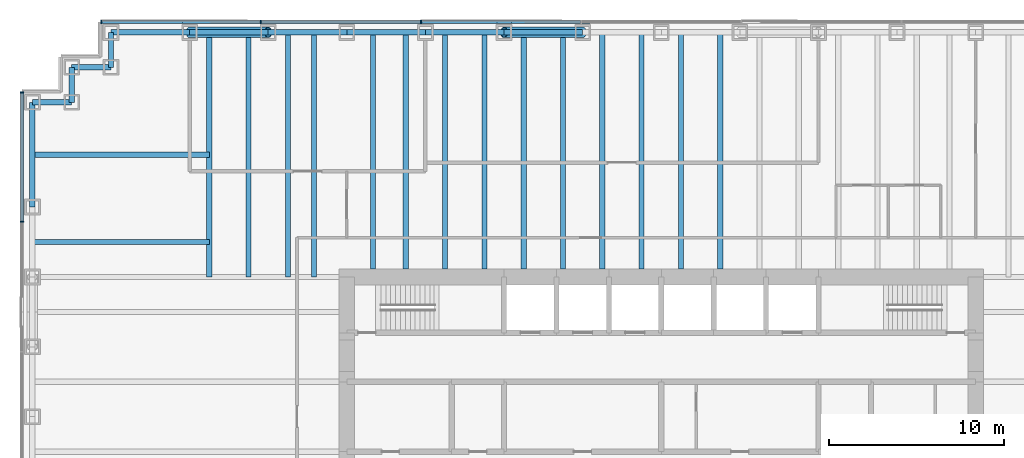
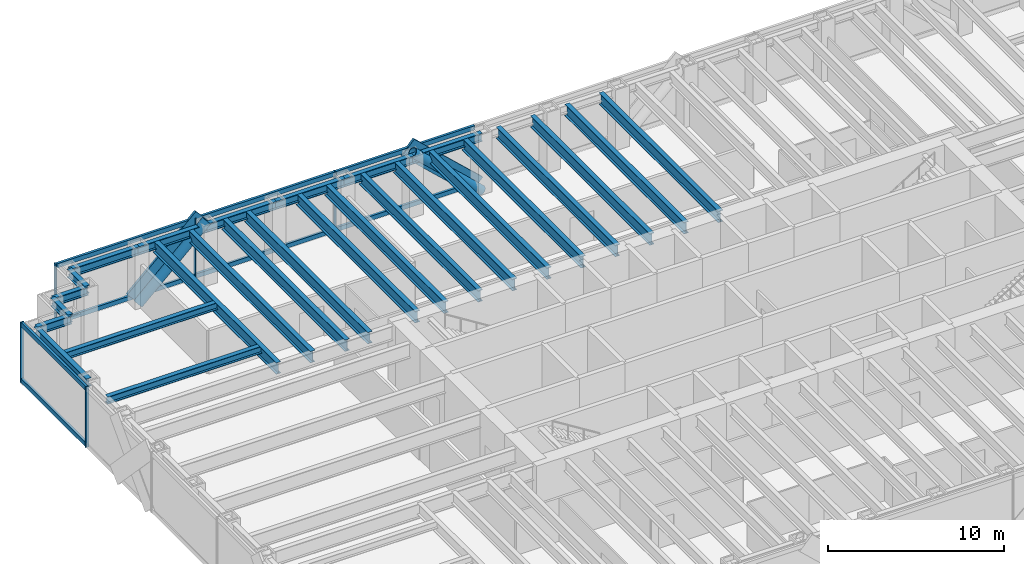
# One storey, part 6 of 17: 27 beams, 17 members, 2 elements without a shape of their own.
"""IFC4 building model written with IfcOpenShell, lengths in metres."""

import ifcopenshell
import ifcopenshell.guid

model = None  # the IFC model being written
_history = None  # IfcOwnerHistory: only IFC2X3 demands one
_inside = {}  # id of a spatial element -> (the spatial element, [elements in it])
_under = {}  # id of a project, library or spatial element -> (it, [spatial elements below it])
_declared = {}  # id of a project -> (the project, [libraries it declares])
_typed = {}  # id of a type object -> (the type object, [elements of that type])
_made_of = {}  # id of a material, layer set ... -> (it, [elements and type objects made of it])


def new_model(schema):
    """Start an empty IFC model of exactly this schema.

    Asked for "IFC4X3", IfcOpenShell would pick the latest addendum, in which some entities
    have other attributes; the version numbers below select the first issue.
    IFC2X3 requires an IfcOwnerHistory on every rooted entity: one is made here for all.
    """
    global model, _history
    if schema == "IFC4X3":
        model = ifcopenshell.file(schema_version=(4, 3, 0, 0))
    else:
        model = ifcopenshell.file(schema=schema)
    _inside.clear()
    _under.clear()
    _declared.clear()
    _typed.clear()
    _made_of.clear()
    _history = None
    if model.schema == "IFC2X3":
        org = make("IfcOrganization", Name="unknown")
        user = make(
            "IfcPersonAndOrganization",
            ThePerson=make("IfcPerson", FamilyName="unknown"),
            TheOrganization=org,
        )
        app = make(
            "IfcApplication",
            ApplicationDeveloper=org,
            Version="unknown",
            ApplicationFullName="unknown",
            ApplicationIdentifier="unknown",
        )
        _history = make(
            "IfcOwnerHistory",
            OwningUser=user,
            OwningApplication=app,
            ChangeAction="ADDED",
            CreationDate=0,
        )
    return model


def make(cls, **values):
    """One entity of the class cls with the attributes given. An attribute that is None is left unset."""
    return model.create_entity(
        cls, **{name: value for name, value in values.items() if value is not None}
    )


def rooted(cls, **values):
    """An entity with a GlobalId (a new one), such as an element, a storey or a relation."""
    return make(cls, GlobalId=ifcopenshell.guid.new(), OwnerHistory=_history, **values)


def si_unit(unit_type, name, prefix=None):
    """IfcSIUnit, for example si_unit("LENGTHUNIT", "METRE", prefix="MILLI")."""
    return make("IfcSIUnit", UnitType=unit_type, Prefix=prefix, Name=name)


def assignment(units):
    """IfcUnitAssignment: the units of a project."""
    return None if units is None else make("IfcUnitAssignment", Units=units)


def point(xyz):
    """IfcCartesianPoint."""
    return None if xyz is None else make("IfcCartesianPoint", Coordinates=xyz)


def direction(xyz):
    """IfcDirection."""
    return None if xyz is None else make("IfcDirection", DirectionRatios=xyz)


def frame(location, z_axis=None, x_axis=None):
    """IfcAxis2Placement3D, a coordinate frame: its origin and axes. An axis left out is left unset."""
    return make(
        "IfcAxis2Placement3D",
        Location=point(location),
        Axis=direction(z_axis),
        RefDirection=direction(x_axis),
    )


def frame_2d(location, x_axis=None):
    """IfcAxis2Placement2D, a coordinate frame in the plane: its origin and x axis."""
    return make(
        "IfcAxis2Placement2D", Location=point(location), RefDirection=direction(x_axis)
    )


def origin():
    """The frame at (0, 0, 0) with its axes left unset."""
    return frame((0.0, 0.0, 0.0))


def origin_2d():
    """The frame at (0, 0) in the plane with its x axis left unset."""
    return frame_2d((0.0, 0.0))


def place(relative_to, where):
    """IfcLocalPlacement: puts the frame where relative to a parent placement (None: the world)."""
    return make(
        "IfcLocalPlacement", PlacementRelTo=relative_to, RelativePlacement=where
    )


def context(
    kind, dimensions, precision=None, world=None, true_north=None, identifier=None
):
    """IfcGeometricRepresentationContext, for example the 3D "Model" context."""
    return make(
        "IfcGeometricRepresentationContext",
        ContextIdentifier=identifier,
        ContextType=kind,
        CoordinateSpaceDimension=dimensions,
        Precision=precision,
        WorldCoordinateSystem=world,
        TrueNorth=true_north,
    )


def subcontext(parent, identifier, kind, view, scale=None):
    """IfcGeometricRepresentationSubContext, for example "Body" below "Model"."""
    return make(
        "IfcGeometricRepresentationSubContext",
        ContextIdentifier=identifier,
        ContextType=kind,
        ParentContext=parent,
        TargetScale=scale,
        TargetView=view,
    )


def project(units=None, contexts=None):
    """IfcProject with its units and contexts."""
    return rooted(
        "IfcProject",
        Name="project",
        RepresentationContexts=contexts,
        UnitsInContext=assignment(units),
    )


def spatial(cls, under=None, at=None, **own):
    """A site, building, storey or space (cls), placed at a placement, below another one or the project."""
    s = rooted(cls, ObjectPlacement=at, **own)
    if under is not None:
        _under.setdefault(under.id(), (under, []))[1].append(s)
    return s


def profile(cls, at=None, kind="AREA", **sizes):
    """A parametric profile (cls). Its sizes go by their IFC names, for example OverallWidth=200.0."""
    return make(cls, ProfileType=kind, Position=at, **sizes)


def rectangle(**sizes):
    """IfcRectangleProfileDef."""
    return profile("IfcRectangleProfileDef", **sizes)


def hollow_circle(**sizes):
    """IfcCircleHollowProfileDef."""
    return profile("IfcCircleHollowProfileDef", **sizes)


def i_section(**sizes):
    """IfcIShapeProfileDef."""
    return profile("IfcIShapeProfileDef", **sizes)


def extrude(swept, where, along, depth):
    """IfcExtrudedAreaSolid: the profile swept, set in the frame where, extruded along a direction by depth."""
    return make(
        "IfcExtrudedAreaSolid",
        SweptArea=swept,
        Position=where,
        ExtrudedDirection=direction(along),
        Depth=depth,
    )


def shape(context_of_items, identifier, shape_type, items):
    """IfcShapeRepresentation: the items that make up one representation, for example the "Body"."""
    return make(
        "IfcShapeRepresentation",
        ContextOfItems=context_of_items,
        RepresentationIdentifier=identifier,
        RepresentationType=shape_type,
        Items=items,
    )


def material(Name=None, Category=None):
    """IfcMaterial."""
    return make("IfcMaterial", Name=Name, Category=Category)


def material_profile(
    of_material, cross_section, Name=None, Category=None, Priority=None
):
    """IfcMaterialProfile: a cross section and its material."""
    return make(
        "IfcMaterialProfile",
        Name=Name,
        Material=of_material,
        Profile=cross_section,
        Priority=Priority,
        Category=Category,
    )


def profile_set(profiles, Name=None, composite=None):
    """IfcMaterialProfileSet."""
    return make(
        "IfcMaterialProfileSet",
        Name=Name,
        MaterialProfiles=profiles,
        CompositeProfile=composite,
    )


def made_of(thing, what):
    """Note that an element or type object is made of a material, layer set ...; save() writes the relation."""
    if what is not None:
        _made_of.setdefault(what.id(), (what, []))[1].append(thing)
    return thing


def type_object(cls, material=None, **own):
    """A type object (cls), such as IfcWallType, which elements share."""
    return made_of(rooted(cls, **own), material)


def element(
    cls,
    number,
    at=None,
    inside=None,
    cuts=None,
    type_object=None,
    material=None,
    context=None,
    identifier="Body",
    shape_type=None,
    held_by="IfcProductDefinitionShape",
    body=None,
    shapes=None,
    **own,
):
    """One element of the class cls, such as IfcWall. Its Tag is "e" and its number.

    at: its placement. inside: the storey or other place that contains it. cuts: it is an
    opening in that element (IfcRelVoidsElement). A single representation is given by context,
    identifier, shape_type and body (its items); several are given by shapes. held_by: the class
    of the entity that holds the representations. save() writes the other relations.
    """
    e = rooted(cls, Tag="e%d" % number, ObjectPlacement=at, **own)
    if body is not None:
        shapes = [shape(context, identifier, shape_type, body)]
    if shapes is not None:
        e.Representation = make(held_by, Representations=shapes)
    if inside is not None:
        _inside.setdefault(inside.id(), (inside, []))[1].append(e)
    if cuts is not None:
        rooted(
            "IfcRelVoidsElement", RelatingBuildingElement=cuts, RelatedOpeningElement=e
        )
    if type_object is not None:
        _typed.setdefault(type_object.id(), (type_object, []))[1].append(e)
    return made_of(e, material)


def aggregate(whole, parts):
    """IfcRelAggregates: a whole, such as a stair, and the parts it consists of."""
    return rooted("IfcRelAggregates", RelatingObject=whole, RelatedObjects=parts)


def save(model, path):
    """Write the relations noted so far, then the file.

    IfcRelAggregates (storeys below a building ...), IfcRelContainedInSpatialStructure (elements
    in a storey), IfcRelDefinesByType, IfcRelAssociatesMaterial and IfcRelDeclares: one each for
    every whole, place, type object, material and project.
    """
    for whole, parts in _under.values():
        aggregate(whole, parts)
    for where, things in _inside.values():
        rooted(
            "IfcRelContainedInSpatialStructure",
            RelatedElements=things,
            RelatingStructure=where,
        )
    for kind, things in _typed.values():
        rooted("IfcRelDefinesByType", RelatedObjects=things, RelatingType=kind)
    for what, things in _made_of.values():
        rooted("IfcRelAssociatesMaterial", RelatedObjects=things, RelatingMaterial=what)
    for by, libraries in _declared.values():
        rooted("IfcRelDeclares", RelatingContext=by, RelatedDefinitions=libraries)
    model.write(path)


model = new_model("IFC4")

# Units and contexts
model_context = context("Model", 3, precision=1e-05, world=origin(), true_north=direction((0.0, 1.0)))
body_context = subcontext(model_context, "Body", "Model", "MODEL_VIEW")
ifc_project = project(units=[si_unit("LENGTHUNIT", "METRE"), si_unit("AREAUNIT", "SQUARE_METRE"), si_unit("VOLUMEUNIT", "CUBIC_METRE"), si_unit("PLANEANGLEUNIT", "RADIAN"), si_unit("MASSUNIT", "GRAM", prefix="KILO")], contexts=[model_context])

# Site, building, storey
site_placement = place(None, origin())
site = spatial("IfcSite", under=ifc_project, at=site_placement, CompositionType="ELEMENT")
building_placement = place(site_placement, origin())
building = spatial("IfcBuilding", under=site, at=building_placement, Name="Rheinbord Bourse Tower", CompositionType="ELEMENT")
storey_placement = place(building_placement, frame((0.0, 0.0, 129.89990234375)))
storey = spatial("IfcBuildingStorey", under=building, at=storey_placement, Name="L28", CompositionType="ELEMENT", Elevation=129.89990234375)

# Curtain wall, members
ifc_material_1 = material(Name="Dark glass and black aluminium", Category="aluminium")
curtain_wall_type = type_object("IfcCurtainWallType", Name="CW2 DARK GLASS CURTAIN WALL", PredefinedType="USERDEFINED", material=ifc_material_1)
curtain_wall_1_placement = place(storey_placement, origin())
curtain_wall_1 = element("IfcCurtainWall", 1, at=curtain_wall_1_placement, inside=storey, type_object=curtain_wall_type, Name="Curtain wall CW2 N L28", ObjectType="UNITISED CURTAIN WALL", PredefinedType="USERDEFINED")
ifc_material_2 = material(Name="Black anodised aluminium", Category="aluminium")
ifc_material_profile_1 = material_profile(ifc_material_2, rectangle(XDim=0.159912109375, YDim=1.2099609375, at=origin_2d()), Name="CW2 DIAGONAL MULLION 1210x160")
ifc_profile_set_1 = profile_set([ifc_material_profile_1], Name="Black anodised aluminium")
member_type_1 = type_object("IfcMemberType", Name="CW2 BLACK DIAGONAL MULLION", PredefinedType="USERDEFINED", material=ifc_profile_set_1)
member_1_placement = place(storey_placement, frame((9.0, 46.60009765625, 0.0), z_axis=(0.731039441158, 0.0, 0.682335207557), x_axis=(0.0, 1.0, 0.0)))
member_1 = element("IfcMember", 2, at=member_1_placement, type_object=member_type_1, Name="CW2 diagonal mullion a", ObjectType="DIAGONAL MULLION", PredefinedType="USERDEFINED", context=body_context, shape_type="SweptSolid", body=[
    extrude(rectangle(XDim=0.159912109375, YDim=1.2099609375, at=origin_2d()), origin(), (0.0, 0.0, 1.0), 6.155517578125),
])
member_2_placement = place(storey_placement, frame((31.5, 46.60009765625, 0.0), z_axis=(-0.731039441158, 0.0, 0.682335207557), x_axis=(0.0, -1.0, 0.0)))
member_2 = element("IfcMember", 3, at=member_2_placement, type_object=member_type_1, Name="CW2 diagonal mullion d", ObjectType="DIAGONAL MULLION", PredefinedType="USERDEFINED", context=body_context, shape_type="SweptSolid", body=[
    extrude(rectangle(XDim=0.159912109375, YDim=1.2099609375, at=origin_2d()), origin(), (0.0, 0.0, 1.0), 6.155517578125),
])
ifc_material_3 = material(Name="Black anodised aluminium", Category="aluminium")
ifc_material_profile_2 = material_profile(ifc_material_3, rectangle(XDim=0.219970703125, YDim=0.070068359375, at=origin_2d()), Name="CW2 MULLION 70x220")
ifc_profile_set_2 = profile_set([ifc_material_profile_2], Name="Black anodised aluminium")
member_type_2 = type_object("IfcMemberType", Name="CW2 BLACK MULLION", PredefinedType="MULLION", material=ifc_profile_set_2)
member_3_placement = place(storey_placement, frame((22.242919921875, 46.60009765625, 0.0), z_axis=(0.0, 0.0, 1.0), x_axis=(0.0, -1.0, 0.0)))
member_3 = element("IfcMember", 4, at=member_3_placement, type_object=member_type_2, Name="CW2 mullion 6", PredefinedType="MULLION", context=body_context, shape_type="SweptSolid", body=[
    extrude(rectangle(XDim=0.219970703125, YDim=0.070068359375, at=origin_2d()), origin(), (0.0, 0.0, 1.0), 4.2001953125),
])
member_4_placement = place(storey_placement, frame((13.071533203125, 46.60009765625, 0.0), z_axis=(0.0, 0.0, 1.0), x_axis=(0.0, -1.0, 0.0)))
member_4 = element("IfcMember", 5, at=member_4_placement, type_object=member_type_2, Name="CW2 mullion 7", PredefinedType="MULLION", context=body_context, shape_type="SweptSolid", body=[
    extrude(rectangle(XDim=0.219970703125, YDim=0.070068359375, at=origin_2d()), origin(), (0.0, 0.0, 1.0), 4.2001953125),
])
member_5_placement = place(storey_placement, frame((3.93505859375, 46.60009765625, 0.0), z_axis=(0.0, 0.0, 1.0), x_axis=(0.0, -1.0, 0.0)))
member_5 = element("IfcMember", 6, at=member_5_placement, type_object=member_type_2, Name="CW2 mullion 8", PredefinedType="MULLION", context=body_context, shape_type="SweptSolid", body=[
    extrude(rectangle(XDim=0.219970703125, YDim=0.070068359375, at=origin_2d()), origin(), (0.0, 0.0, 1.0), 4.2001953125),
])

curtain_wall_2_placement = place(storey_placement, origin())
curtain_wall_2 = element("IfcCurtainWall", 7, at=curtain_wall_2_placement, inside=storey, type_object=curtain_wall_type, Name="Curtain wall CW2 W L28", ObjectType="UNITISED CURTAIN WALL", PredefinedType="USERDEFINED")
member_6_placement = place(storey_placement, frame((-0.60009765625, 42.56494140625, 0.0), z_axis=(0.0, 0.0, 1.0), x_axis=(1.0, 0.0, 0.0)))
member_6 = element("IfcMember", 8, at=member_6_placement, type_object=member_type_2, Name="CW2 mullion 1", PredefinedType="MULLION", context=body_context, shape_type="SweptSolid", body=[
    extrude(rectangle(XDim=0.219970703125, YDim=0.070068359375, at=origin_2d()), origin(), (0.0, 0.0, 1.0), 4.2001953125),
])
member_7_placement = place(storey_placement, frame((-0.60009765625, 35.159912109375, 0.0), z_axis=(0.0, 0.0, 1.0), x_axis=(1.0, 0.0, 0.0)))
member_7 = element("IfcMember", 9, at=member_7_placement, type_object=member_type_2, Name="CW2 mullion 2", PredefinedType="MULLION", context=body_context, shape_type="SweptSolid", body=[
    extrude(rectangle(XDim=0.219970703125, YDim=0.070068359375, at=origin_2d()), origin(), (0.0, 0.0, 1.0), 4.2001953125),
])

# Member
ifc_material_4 = material(Name="Black anodised aluminium", Category="aluminium")
ifc_material_profile_3 = material_profile(ifc_material_4, rectangle(XDim=0.159912109375, YDim=0.300048828125, at=origin_2d()), Name="CW2 TRANSOM 300x160")
ifc_profile_set_3 = profile_set([ifc_material_profile_3], Name="Black anodised aluminium")
member_type_3 = type_object("IfcMemberType", Name="CW2 BLACK TRANSOM", PredefinedType="USERDEFINED", material=ifc_profile_set_3)
member_8_placement = place(storey_placement, frame((31.37939453125, 46.60009765625, 0.150146484375), z_axis=(-1.0, 0.0, 0.0), x_axis=(0.0, -1.0, 0.0)))
member_8 = element("IfcMember", 10, at=member_8_placement, type_object=member_type_3, Name="CW2 transom 5.1", ObjectType="TRANSOM", PredefinedType="USERDEFINED", context=body_context, shape_type="SweptSolid", body=[
    extrude(rectangle(XDim=0.159912109375, YDim=0.300048828125, at=origin_2d()), origin(), (0.0, 0.0, 1.0), 9.1015625),
])

member_9_placement = place(storey_placement, frame((31.37939453125, 46.60009765625, 4.050048828125), z_axis=(-1.0, 0.0, 0.0), x_axis=(0.0, -1.0, 0.0)))
member_9 = element("IfcMember", 11, at=member_9_placement, type_object=member_type_3, Name="CW2 transom 5.2", ObjectType="TRANSOM", PredefinedType="USERDEFINED", context=body_context, shape_type="SweptSolid", body=[
    extrude(rectangle(XDim=0.159912109375, YDim=0.300048828125, at=origin_2d()), origin(), (0.0, 0.0, 1.0), 9.1015625),
])

member_10_placement = place(storey_placement, frame((22.207763671875, 46.60009765625, 0.150146484375), z_axis=(-1.0, 0.0, 0.0), x_axis=(0.0, -1.0, 0.0)))
member_10 = element("IfcMember", 12, at=member_10_placement, type_object=member_type_3, Name="CW2 transom 6.1", ObjectType="TRANSOM", PredefinedType="USERDEFINED", context=body_context, shape_type="SweptSolid", body=[
    extrude(rectangle(XDim=0.159912109375, YDim=0.300048828125, at=origin_2d()), origin(), (0.0, 0.0, 1.0), 9.101318359375),
])

member_11_placement = place(storey_placement, frame((22.207763671875, 46.60009765625, 4.050048828125), z_axis=(-1.0, 0.0, 0.0), x_axis=(0.0, -1.0, 0.0)))
member_11 = element("IfcMember", 13, at=member_11_placement, type_object=member_type_3, Name="CW2 transom 6.2", ObjectType="TRANSOM", PredefinedType="USERDEFINED", context=body_context, shape_type="SweptSolid", body=[
    extrude(rectangle(XDim=0.159912109375, YDim=0.300048828125, at=origin_2d()), origin(), (0.0, 0.0, 1.0), 9.101318359375),
])

member_12_placement = place(storey_placement, frame((13.036376953125, 46.60009765625, 0.150146484375), z_axis=(-1.0, 0.0, 0.0), x_axis=(0.0, -1.0, 0.0)))
member_12 = element("IfcMember", 14, at=member_12_placement, type_object=member_type_3, Name="CW2 transom 7.1", ObjectType="TRANSOM", PredefinedType="USERDEFINED", context=body_context, shape_type="SweptSolid", body=[
    extrude(rectangle(XDim=0.159912109375, YDim=0.300048828125, at=origin_2d()), origin(), (0.0, 0.0, 1.0), 9.06640625),
])

member_13_placement = place(storey_placement, frame((13.036376953125, 46.60009765625, 4.050048828125), z_axis=(-1.0, 0.0, 0.0), x_axis=(0.0, -1.0, 0.0)))
member_13 = element("IfcMember", 15, at=member_13_placement, type_object=member_type_3, Name="CW2 transom 7.2", ObjectType="TRANSOM", PredefinedType="USERDEFINED", context=body_context, shape_type="SweptSolid", body=[
    extrude(rectangle(XDim=0.159912109375, YDim=0.300048828125, at=origin_2d()), origin(), (0.0, 0.0, 1.0), 9.06640625),
])

aggregate(curtain_wall_1, [member_3, member_4, member_5, member_8, member_9, member_10, member_11, member_12, member_13, member_1, member_2])

member_14_placement = place(storey_placement, frame((-0.60009765625, 42.530029296875, 0.150146484375), z_axis=(0.0, -1.0, 0.0), x_axis=(1.0, 0.0, 0.0)))
member_14 = element("IfcMember", 16, at=member_14_placement, type_object=member_type_3, Name="CW2 transom 1.1", ObjectType="TRANSOM", PredefinedType="USERDEFINED", context=body_context, shape_type="SweptSolid", body=[
    extrude(rectangle(XDim=0.159912109375, YDim=0.300048828125, at=origin_2d()), origin(), (0.0, 0.0, 1.0), 7.3349609375),
])

member_15_placement = place(storey_placement, frame((-0.60009765625, 42.530029296875, 4.050048828125), z_axis=(0.0, -1.0, 0.0), x_axis=(1.0, 0.0, 0.0)))
member_15 = element("IfcMember", 17, at=member_15_placement, type_object=member_type_3, Name="CW2 transom 1.2", ObjectType="TRANSOM", PredefinedType="USERDEFINED", context=body_context, shape_type="SweptSolid", body=[
    extrude(rectangle(XDim=0.159912109375, YDim=0.300048828125, at=origin_2d()), origin(), (0.0, 0.0, 1.0), 7.3349609375),
])

aggregate(curtain_wall_2, [member_6, member_7, member_14, member_15])

# Beams
ifc_material_5 = material(Name="Steel S460", Category="steel")
ifc_material_profile_4 = material_profile(ifc_material_5, i_section(OverallWidth=0.300048828125, OverallDepth=0.800048828125, WebThickness=0.017578125, FlangeThickness=0.032958984375, at=origin_2d()), Name="HEB 800")
ifc_profile_set_4 = profile_set([ifc_material_profile_4], Name="Steel S460")
beam_type_1 = type_object("IfcBeamType", Name="FLOOR BEAM HEB 800", PredefinedType="BEAM", material=ifc_profile_set_4)
for number, where, z_axis, x_axis, name in (
    (18, (10.125, 46.0, 3.64013671875), (0.0, -1.0, 0.0), (1.0, 0.0, 0.0), "Floor beam N-9a L29"),
    (19, (12.375, 46.0, 3.64013671875), (0.0, -1.0, 0.0), (1.0, 0.0, 0.0), "Floor beam N-9b L29"),
    (20, (14.625, 46.0, 3.64013671875), (0.0, -1.0, 0.0), (1.0, 0.0, 0.0), "Floor beam N-13.5a L29"),
    (21, (16.125, 46.0, 3.64013671875), (0.0, -1.0, 0.0), (1.0, 0.0, 0.0), "Floor beam N-13.5b L29"),
):
    element("IfcBeam", number, at=place(storey_placement, frame(where, z_axis=z_axis, x_axis=x_axis)), inside=storey, type_object=beam_type_1, Name=name, PredefinedType="BEAM", context=body_context, shape_type="SweptSolid", body=[
        extrude(i_section(OverallWidth=0.300048828125, OverallDepth=0.800048828125, WebThickness=0.017578125, FlangeThickness=0.032958984375, at=origin_2d()), origin(), (0.0, 0.0, 1.0), 14.0),
    ])
for number, where, z_axis, x_axis, name in (
    (22, (19.5, 46.0, 3.64013671875), (0.0, -1.0, 0.0), (1.0, 0.0, 0.0), "Floor beam N-18a L29"),
    (23, (21.375, 46.0, 3.64013671875), (0.0, -1.0, 0.0), (1.0, 0.0, 0.0), "Floor beam N-18b L29"),
    (24, (23.625, 46.0, 3.64013671875), (0.0, -1.0, 0.0), (1.0, 0.0, 0.0), "Floor beam N-22.5a L29"),
    (25, (25.875, 46.0, 3.64013671875), (0.0, -1.0, 0.0), (1.0, 0.0, 0.0), "Floor beam N-22.5b L29"),
    (26, (28.125, 46.0, 3.64013671875), (0.0, -1.0, 0.0), (1.0, 0.0, 0.0), "Floor beam N-27a L29"),
    (27, (30.375, 46.0, 3.64013671875), (0.0, -1.0, 0.0), (1.0, 0.0, 0.0), "Floor beam N-27b L29"),
    (28, (32.625, 46.0, 3.64013671875), (0.0, -1.0, 0.0), (1.0, 0.0, 0.0), "Floor beam N-31.5a L29"),
    (29, (34.875, 46.0, 3.64013671875), (0.0, -1.0, 0.0), (1.0, 0.0, 0.0), "Floor beam N-31.5b L29"),
    (30, (37.125, 46.0, 3.64013671875), (0.0, -1.0, 0.0), (1.0, 0.0, 0.0), "Floor beam N-36a L29"),
    (31, (39.375, 46.0, 3.64013671875), (0.0, -1.0, 0.0), (1.0, 0.0, 0.0), "Floor beam N-36b L29"),
):
    element("IfcBeam", number, at=place(storey_placement, frame(where, z_axis=z_axis, x_axis=x_axis)), inside=storey, type_object=beam_type_1, Name=name, PredefinedType="BEAM", context=body_context, shape_type="SweptSolid", body=[
        extrude(i_section(OverallWidth=0.300048828125, OverallDepth=0.800048828125, WebThickness=0.017578125, FlangeThickness=0.032958984375, at=origin_2d()), origin(), (0.0, 0.0, 1.0), 13.550048828125),
    ])

# Members
ifc_material_6 = material(Name="Steel S460", Category="steel")
ifc_material_profile_5 = material_profile(ifc_material_6, hollow_circle(Radius=0.304931640625, WallThickness=0.0400390625, at=origin_2d()), Name="CHS 610x40")
ifc_profile_set_5 = profile_set([ifc_material_profile_5], Name="Steel S460")
member_type_4 = type_object("IfcMemberType", Name="MEGABRACE CHS 610x40", PredefinedType="BRACE", material=ifc_profile_set_5)
for number, where, z_axis, x_axis, name in (
    (32, (9.0, 46.0, 0.0), (0.731039441158, 0.0, 0.682335207557), (0.0, 1.0, 0.0), "Megabrace N face line a L28"),
    (33, (31.5, 46.0, 0.0), (-0.731039441158, 0.0, 0.682335207557), (0.0, -1.0, 0.0), "Megabrace N face line d L28"),
):
    element("IfcMember", number, at=place(storey_placement, frame(where, z_axis=z_axis, x_axis=x_axis)), inside=storey, type_object=member_type_4, Name=name, PredefinedType="BRACE", context=body_context, shape_type="SweptSolid", body=[
        extrude(hollow_circle(Radius=0.304931640625, WallThickness=0.0400390625, at=origin_2d()), origin(), (0.0, 0.0, 1.0), 6.155517578125),
    ])

# Beams
ifc_material_7 = material(Name="Steel S460", Category="steel")
ifc_material_profile_6 = material_profile(ifc_material_7, i_section(OverallWidth=0.305908203125, OverallDepth=0.572021484375, WebThickness=0.02099609375, FlangeThickness=0.0400390625, at=origin_2d()), Name="HEM 550")
ifc_profile_set_6 = profile_set([ifc_material_profile_6], Name="Steel S460")
beam_type_2 = type_object("IfcBeamType", Name="SPANDREL HEM 550", PredefinedType="SPANDREL", material=ifc_profile_set_6)
for number, where, z_axis, x_axis, name in (
    (34, (31.5, 46.0, 3.754150390625), (-1.0, 0.0, 0.0), (0.0, -1.0, 0.0), "Spandrel N-31.5-N-27 under L29"),
    (35, (27.0, 46.0, 3.754150390625), (-1.0, 0.0, 0.0), (0.0, -1.0, 0.0), "Spandrel N-27-N-22.5 under L29"),
    (36, (22.5, 46.0, 3.754150390625), (-1.0, 0.0, 0.0), (0.0, -1.0, 0.0), "Spandrel N-22.5-N-18 under L29"),
    (37, (18.0, 46.0, 3.754150390625), (-1.0, 0.0, 0.0), (0.0, -1.0, 0.0), "Spandrel N-18-N-13.5 under L29"),
    (38, (13.5, 46.0, 3.754150390625), (-1.0, 0.0, 0.0), (0.0, -1.0, 0.0), "Spandrel N-13.5-N-9 under L29"),
    (39, (9.0, 46.0, 3.754150390625), (-1.0, 0.0, 0.0), (0.0, -1.0, 0.0), "Spandrel N-9-NW-E under L29"),
):
    element("IfcBeam", number, at=place(storey_placement, frame(where, z_axis=z_axis, x_axis=x_axis)), inside=storey, type_object=beam_type_2, Name=name, PredefinedType="SPANDREL", context=body_context, shape_type="SweptSolid", body=[
        extrude(i_section(OverallWidth=0.305908203125, OverallDepth=0.572021484375, WebThickness=0.02099609375, FlangeThickness=0.0400390625, at=origin_2d()), origin(), (0.0, 0.0, 1.0), 4.5),
    ])
beam_1_placement = place(storey_placement, frame((4.5, 46.0, 3.754150390625), z_axis=(0.0, -1.0, 0.0), x_axis=(1.0, 0.0, 0.0)))
element("IfcBeam", 40, at=beam_1_placement, inside=storey, type_object=beam_type_2, Name="Spandrel NW-E-NW-D under L29", PredefinedType="SPANDREL", context=body_context, shape_type="SweptSolid", body=[
    extrude(i_section(OverallWidth=0.305908203125, OverallDepth=0.572021484375, WebThickness=0.02099609375, FlangeThickness=0.0400390625, at=origin_2d()), origin(), (0.0, 0.0, 1.0), 2.0),
])
beam_2_placement = place(storey_placement, frame((4.5, 44.0, 3.754150390625), z_axis=(-1.0, 0.0, 0.0), x_axis=(0.0, -1.0, 0.0)))
element("IfcBeam", 41, at=beam_2_placement, inside=storey, type_object=beam_type_2, Name="Spandrel NW-D-NW-C under L29", PredefinedType="SPANDREL", context=body_context, shape_type="SweptSolid", body=[
    extrude(i_section(OverallWidth=0.305908203125, OverallDepth=0.572021484375, WebThickness=0.02099609375, FlangeThickness=0.0400390625, at=origin_2d()), origin(), (0.0, 0.0, 1.0), 2.25),
])
beam_3_placement = place(storey_placement, frame((2.25, 44.0, 3.754150390625), z_axis=(0.0, -1.0, 0.0), x_axis=(1.0, 0.0, 0.0)))
element("IfcBeam", 42, at=beam_3_placement, inside=storey, type_object=beam_type_2, Name="Spandrel NW-C-NW-B under L29", PredefinedType="SPANDREL", context=body_context, shape_type="SweptSolid", body=[
    extrude(i_section(OverallWidth=0.305908203125, OverallDepth=0.572021484375, WebThickness=0.02099609375, FlangeThickness=0.0400390625, at=origin_2d()), origin(), (0.0, 0.0, 1.0), 2.0),
])
beam_4_placement = place(storey_placement, frame((2.25, 42.0, 3.754150390625), z_axis=(-1.0, 0.0, 0.0), x_axis=(0.0, -1.0, 0.0)))
element("IfcBeam", 43, at=beam_4_placement, inside=storey, type_object=beam_type_2, Name="Spandrel NW-B-NW-A under L29", PredefinedType="SPANDREL", context=body_context, shape_type="SweptSolid", body=[
    extrude(i_section(OverallWidth=0.305908203125, OverallDepth=0.572021484375, WebThickness=0.02099609375, FlangeThickness=0.0400390625, at=origin_2d()), origin(), (0.0, 0.0, 1.0), 2.25),
])
beam_5_placement = place(storey_placement, frame((0.0, 42.0, 3.754150390625), z_axis=(0.0, -1.0, 0.0), x_axis=(1.0, 0.0, 0.0)))
element("IfcBeam", 44, at=beam_5_placement, inside=storey, type_object=beam_type_2, Name="Spandrel NW-A-W-36 under L29", PredefinedType="SPANDREL", context=body_context, shape_type="SweptSolid", body=[
    extrude(i_section(OverallWidth=0.305908203125, OverallDepth=0.572021484375, WebThickness=0.02099609375, FlangeThickness=0.0400390625, at=origin_2d()), origin(), (0.0, 0.0, 1.0), 6.0),
])
ifc_material_8 = material(Name="Steel S460", Category="steel")
ifc_material_profile_7 = material_profile(ifc_material_8, i_section(OverallWidth=0.300048828125, OverallDepth=0.5, WebThickness=0.014404296875, FlangeThickness=0.028076171875, at=origin_2d()), Name="HEB 500")
ifc_profile_set_7 = profile_set([ifc_material_profile_7], Name="Steel S460")
beam_type_3 = type_object("IfcBeamType", Name="TIE BEAM HEB 500", PredefinedType="JOIST", material=ifc_profile_set_7)
for number, where, z_axis, x_axis, name in (
    (45, (0.0, 34.0, 3.7900390625), (1.0, 0.0, 0.0), (0.0, 1.0, 0.0), "Tie west 34 L29"),
    (46, (0.0, 39.0, 3.7900390625), (1.0, 0.0, 0.0), (0.0, 1.0, 0.0), "Tie west 39 L29"),
):
    element("IfcBeam", number, at=place(storey_placement, frame(where, z_axis=z_axis, x_axis=x_axis)), inside=storey, type_object=beam_type_3, Name=name, PredefinedType="JOIST", context=body_context, shape_type="SweptSolid", body=[
        extrude(i_section(OverallWidth=0.300048828125, OverallDepth=0.5, WebThickness=0.014404296875, FlangeThickness=0.028076171875, at=origin_2d()), origin(), (0.0, 0.0, 1.0), 10.125),
    ])

save(model, "model.ifc")
